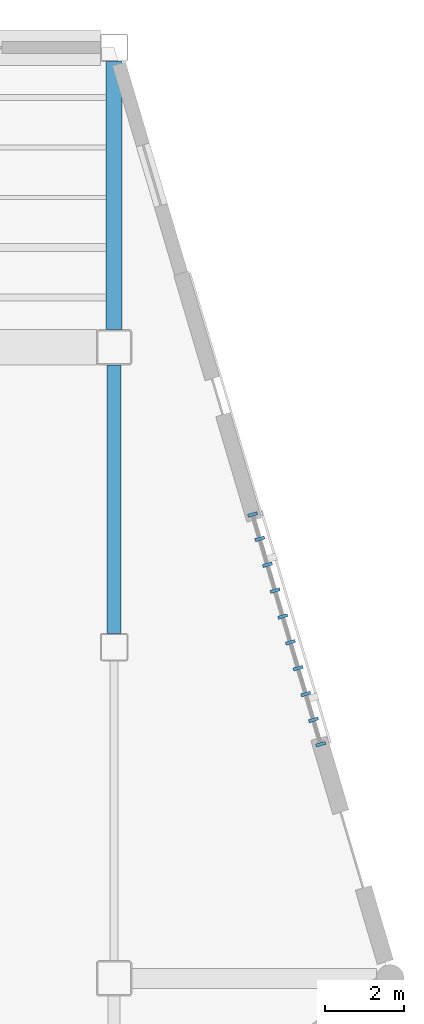
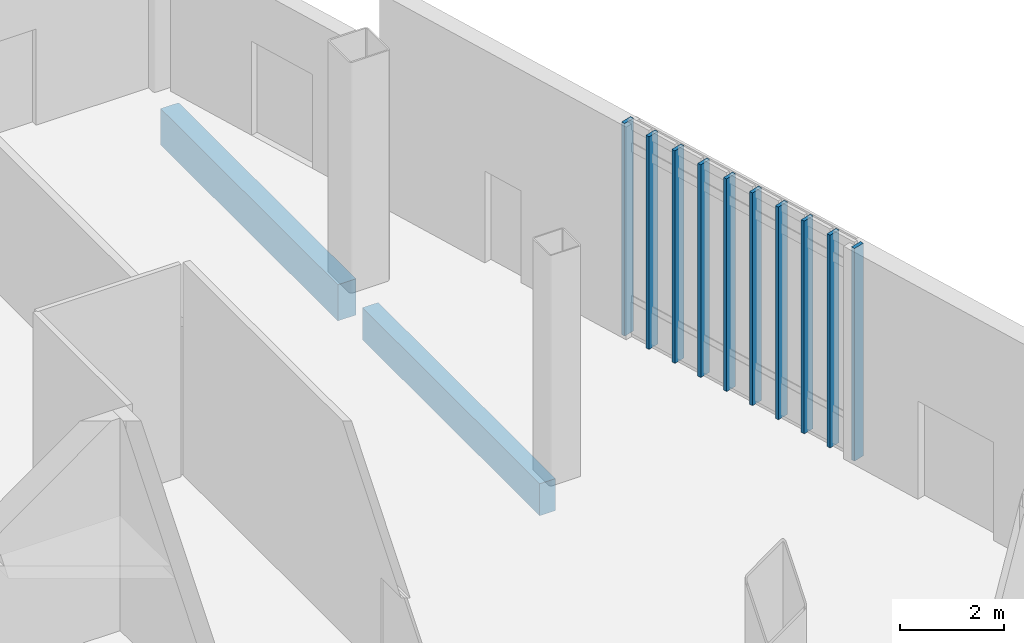
# One storey, part 34 of 111: 10 members, 2 beams, 1 element without a shape of its own.
"""IFC4 building model written with IfcOpenShell, lengths in metres."""

import ifcopenshell
import ifcopenshell.guid

model = None  # the IFC model being written
_history = None  # IfcOwnerHistory: only IFC2X3 demands one
_inside = {}  # id of a spatial element -> (the spatial element, [elements in it])
_under = {}  # id of a project, library or spatial element -> (it, [spatial elements below it])
_declared = {}  # id of a project -> (the project, [libraries it declares])
_typed = {}  # id of a type object -> (the type object, [elements of that type])
_made_of = {}  # id of a material, layer set ... -> (it, [elements and type objects made of it])


def new_model(schema):
    """Start an empty IFC model of exactly this schema.

    Asked for "IFC4X3", IfcOpenShell would pick the latest addendum, in which some entities
    have other attributes; the version numbers below select the first issue.
    IFC2X3 requires an IfcOwnerHistory on every rooted entity: one is made here for all.
    """
    global model, _history
    if schema == "IFC4X3":
        model = ifcopenshell.file(schema_version=(4, 3, 0, 0))
    else:
        model = ifcopenshell.file(schema=schema)
    _inside.clear()
    _under.clear()
    _declared.clear()
    _typed.clear()
    _made_of.clear()
    _history = None
    if model.schema == "IFC2X3":
        org = make("IfcOrganization", Name="unknown")
        user = make(
            "IfcPersonAndOrganization",
            ThePerson=make("IfcPerson", FamilyName="unknown"),
            TheOrganization=org,
        )
        app = make(
            "IfcApplication",
            ApplicationDeveloper=org,
            Version="unknown",
            ApplicationFullName="unknown",
            ApplicationIdentifier="unknown",
        )
        _history = make(
            "IfcOwnerHistory",
            OwningUser=user,
            OwningApplication=app,
            ChangeAction="ADDED",
            CreationDate=0,
        )
    return model


def make(cls, **values):
    """One entity of the class cls with the attributes given. An attribute that is None is left unset."""
    return model.create_entity(
        cls, **{name: value for name, value in values.items() if value is not None}
    )


def rooted(cls, **values):
    """An entity with a GlobalId (a new one), such as an element, a storey or a relation."""
    return make(cls, GlobalId=ifcopenshell.guid.new(), OwnerHistory=_history, **values)


def si_unit(unit_type, name, prefix=None):
    """IfcSIUnit, for example si_unit("LENGTHUNIT", "METRE", prefix="MILLI")."""
    return make("IfcSIUnit", UnitType=unit_type, Prefix=prefix, Name=name)


def assignment(units):
    """IfcUnitAssignment: the units of a project."""
    return None if units is None else make("IfcUnitAssignment", Units=units)


def point(xyz):
    """IfcCartesianPoint."""
    return None if xyz is None else make("IfcCartesianPoint", Coordinates=xyz)


def direction(xyz):
    """IfcDirection."""
    return None if xyz is None else make("IfcDirection", DirectionRatios=xyz)


def frame(location, z_axis=None, x_axis=None):
    """IfcAxis2Placement3D, a coordinate frame: its origin and axes. An axis left out is left unset."""
    return make(
        "IfcAxis2Placement3D",
        Location=point(location),
        Axis=direction(z_axis),
        RefDirection=direction(x_axis),
    )


def frame_2d(location, x_axis=None):
    """IfcAxis2Placement2D, a coordinate frame in the plane: its origin and x axis."""
    return make(
        "IfcAxis2Placement2D", Location=point(location), RefDirection=direction(x_axis)
    )


def origin():
    """The frame at (0, 0, 0) with its axes left unset."""
    return frame((0.0, 0.0, 0.0))


def origin_2d():
    """The frame at (0, 0) in the plane with its x axis left unset."""
    return frame_2d((0.0, 0.0))


def place(relative_to, where):
    """IfcLocalPlacement: puts the frame where relative to a parent placement (None: the world)."""
    return make(
        "IfcLocalPlacement", PlacementRelTo=relative_to, RelativePlacement=where
    )


def context(
    kind, dimensions, precision=None, world=None, true_north=None, identifier=None
):
    """IfcGeometricRepresentationContext, for example the 3D "Model" context."""
    return make(
        "IfcGeometricRepresentationContext",
        ContextIdentifier=identifier,
        ContextType=kind,
        CoordinateSpaceDimension=dimensions,
        Precision=precision,
        WorldCoordinateSystem=world,
        TrueNorth=true_north,
    )


def subcontext(parent, identifier, kind, view, scale=None):
    """IfcGeometricRepresentationSubContext, for example "Body" below "Model"."""
    return make(
        "IfcGeometricRepresentationSubContext",
        ContextIdentifier=identifier,
        ContextType=kind,
        ParentContext=parent,
        TargetScale=scale,
        TargetView=view,
    )


def project(units=None, contexts=None):
    """IfcProject with its units and contexts."""
    return rooted(
        "IfcProject",
        Name="project",
        RepresentationContexts=contexts,
        UnitsInContext=assignment(units),
    )


def spatial(cls, under=None, at=None, **own):
    """A site, building, storey or space (cls), placed at a placement, below another one or the project."""
    s = rooted(cls, ObjectPlacement=at, **own)
    if under is not None:
        _under.setdefault(under.id(), (under, []))[1].append(s)
    return s


def profile(cls, at=None, kind="AREA", **sizes):
    """A parametric profile (cls). Its sizes go by their IFC names, for example OverallWidth=200.0."""
    return make(cls, ProfileType=kind, Position=at, **sizes)


def rectangle(**sizes):
    """IfcRectangleProfileDef."""
    return profile("IfcRectangleProfileDef", **sizes)


def extrude(swept, where, along, depth):
    """IfcExtrudedAreaSolid: the profile swept, set in the frame where, extruded along a direction by depth."""
    return make(
        "IfcExtrudedAreaSolid",
        SweptArea=swept,
        Position=where,
        ExtrudedDirection=direction(along),
        Depth=depth,
    )


def shape(context_of_items, identifier, shape_type, items):
    """IfcShapeRepresentation: the items that make up one representation, for example the "Body"."""
    return make(
        "IfcShapeRepresentation",
        ContextOfItems=context_of_items,
        RepresentationIdentifier=identifier,
        RepresentationType=shape_type,
        Items=items,
    )


def material(Name=None, Category=None):
    """IfcMaterial."""
    return make("IfcMaterial", Name=Name, Category=Category)


def material_profile(
    of_material, cross_section, Name=None, Category=None, Priority=None
):
    """IfcMaterialProfile: a cross section and its material."""
    return make(
        "IfcMaterialProfile",
        Name=Name,
        Material=of_material,
        Profile=cross_section,
        Priority=Priority,
        Category=Category,
    )


def profile_set(profiles, Name=None, composite=None):
    """IfcMaterialProfileSet."""
    return make(
        "IfcMaterialProfileSet",
        Name=Name,
        MaterialProfiles=profiles,
        CompositeProfile=composite,
    )


def made_of(thing, what):
    """Note that an element or type object is made of a material, layer set ...; save() writes the relation."""
    if what is not None:
        _made_of.setdefault(what.id(), (what, []))[1].append(thing)
    return thing


def type_object(cls, material=None, **own):
    """A type object (cls), such as IfcWallType, which elements share."""
    return made_of(rooted(cls, **own), material)


def element(
    cls,
    number,
    at=None,
    inside=None,
    cuts=None,
    type_object=None,
    material=None,
    context=None,
    identifier="Body",
    shape_type=None,
    held_by="IfcProductDefinitionShape",
    body=None,
    shapes=None,
    **own,
):
    """One element of the class cls, such as IfcWall. Its Tag is "e" and its number.

    at: its placement. inside: the storey or other place that contains it. cuts: it is an
    opening in that element (IfcRelVoidsElement). A single representation is given by context,
    identifier, shape_type and body (its items); several are given by shapes. held_by: the class
    of the entity that holds the representations. save() writes the other relations.
    """
    e = rooted(cls, Tag="e%d" % number, ObjectPlacement=at, **own)
    if body is not None:
        shapes = [shape(context, identifier, shape_type, body)]
    if shapes is not None:
        e.Representation = make(held_by, Representations=shapes)
    if inside is not None:
        _inside.setdefault(inside.id(), (inside, []))[1].append(e)
    if cuts is not None:
        rooted(
            "IfcRelVoidsElement", RelatingBuildingElement=cuts, RelatedOpeningElement=e
        )
    if type_object is not None:
        _typed.setdefault(type_object.id(), (type_object, []))[1].append(e)
    return made_of(e, material)


def aggregate(whole, parts):
    """IfcRelAggregates: a whole, such as a stair, and the parts it consists of."""
    return rooted("IfcRelAggregates", RelatingObject=whole, RelatedObjects=parts)


def save(model, path):
    """Write the relations noted so far, then the file.

    IfcRelAggregates (storeys below a building ...), IfcRelContainedInSpatialStructure (elements
    in a storey), IfcRelDefinesByType, IfcRelAssociatesMaterial and IfcRelDeclares: one each for
    every whole, place, type object, material and project.
    """
    for whole, parts in _under.values():
        aggregate(whole, parts)
    for where, things in _inside.values():
        rooted(
            "IfcRelContainedInSpatialStructure",
            RelatedElements=things,
            RelatingStructure=where,
        )
    for kind, things in _typed.values():
        rooted("IfcRelDefinesByType", RelatedObjects=things, RelatingType=kind)
    for what, things in _made_of.values():
        rooted("IfcRelAssociatesMaterial", RelatedObjects=things, RelatingMaterial=what)
    for by, libraries in _declared.values():
        rooted("IfcRelDeclares", RelatingContext=by, RelatedDefinitions=libraries)
    model.write(path)


model = new_model("IFC4")

# Units and contexts
model_context = context("Model", 3, precision=1e-05, world=origin(), true_north=direction((0.0, 1.0)))
body_context = subcontext(model_context, "Body", "Model", "MODEL_VIEW")
ifc_project = project(units=[si_unit("LENGTHUNIT", "METRE"), si_unit("AREAUNIT", "SQUARE_METRE"), si_unit("VOLUMEUNIT", "CUBIC_METRE"), si_unit("PLANEANGLEUNIT", "RADIAN"), si_unit("MASSUNIT", "GRAM", prefix="KILO")], contexts=[model_context])

# Site, building, storey
site_placement = place(None, origin())
site = spatial("IfcSite", under=ifc_project, at=site_placement, CompositionType="ELEMENT")
building_placement = place(site_placement, origin())
building = spatial("IfcBuilding", under=site, at=building_placement, Name="Larkvane Passage Sports Hall", CompositionType="ELEMENT")
storey_placement = place(building_placement, origin())
storey = spatial("IfcBuildingStorey", under=building, at=storey_placement, Name="L00", CompositionType="ELEMENT", Elevation=0.0)

# Curtain wall, members
ifc_material_1 = material(Name="Thermally broken aluminium and low-E glazing", Category="aluminium")
curtain_wall_type = type_object("IfcCurtainWallType", Name="CW-STICK-FOYER", PredefinedType="USERDEFINED", material=ifc_material_1)
curtain_wall_placement = place(storey_placement, origin())
curtain_wall = element("IfcCurtainWall", 1, at=curtain_wall_placement, inside=storey, type_object=curtain_wall_type, Name="Curtain wall CW5-L00-022", ObjectType="STICK CURTAIN WALL", PredefinedType="USERDEFINED")
ifc_material_2 = material(Name="Anodised aluminium 6063-T6", Category="aluminium")
ifc_material_profile_1 = material_profile(ifc_material_2, rectangle(XDim=0.080078125, YDim=0.25, at=origin_2d()), Name="ALU-MUL-80x250")
ifc_profile_set_1 = profile_set([ifc_material_profile_1], Name="Anodised aluminium 6063-T6")
member_type = type_object("IfcMemberType", Name="CW-MUL-80x250", PredefinedType="MULLION", material=ifc_profile_set_1)
member_1_placement = place(storey_placement, frame((149.111328125, 87.361572265625, 0.0), z_axis=(0.0, 0.0, 1.0), x_axis=(0.284364947432, -0.958716108487, 0.0)))
member_1 = element("IfcMember", 2, at=member_1_placement, type_object=member_type, Name="CW-03 mullion 1", PredefinedType="MULLION", context=body_context, shape_type="SweptSolid", body=[
    extrude(rectangle(XDim=0.080078125, YDim=0.25, at=origin_2d()), origin(), (0.0, 0.0, 1.0), 4.97998046875),
])
member_2_placement = place(storey_placement, frame((149.29443359375, 86.744384765625, 0.0), z_axis=(0.0, 0.0, 1.0), x_axis=(0.284364947432, -0.958716108487, 0.0)))
member_2 = element("IfcMember", 3, at=member_2_placement, type_object=member_type, Name="CW-03 mullion 2", PredefinedType="MULLION", context=body_context, shape_type="SweptSolid", body=[
    extrude(rectangle(XDim=0.080078125, YDim=0.25, at=origin_2d()), origin(), (0.0, 0.0, 1.0), 4.97998046875),
])
member_3_placement = place(storey_placement, frame((149.48876953125, 86.0888671875, 0.0), z_axis=(0.0, 0.0, 1.0), x_axis=(0.284364947432, -0.958716108487, 0.0)))
member_3 = element("IfcMember", 4, at=member_3_placement, type_object=member_type, Name="CW-03 mullion 3", PredefinedType="MULLION", context=body_context, shape_type="SweptSolid", body=[
    extrude(rectangle(XDim=0.080078125, YDim=0.25, at=origin_2d()), origin(), (0.0, 0.0, 1.0), 4.97998046875),
])
member_4_placement = place(storey_placement, frame((149.683349609375, 85.433349609375, 0.0), z_axis=(0.0, 0.0, 1.0), x_axis=(0.284364947432, -0.958716108487, 0.0)))
member_4 = element("IfcMember", 5, at=member_4_placement, type_object=member_type, Name="CW-03 mullion 4", PredefinedType="MULLION", context=body_context, shape_type="SweptSolid", body=[
    extrude(rectangle(XDim=0.080078125, YDim=0.25, at=origin_2d()), origin(), (0.0, 0.0, 1.0), 4.97998046875),
])
member_5_placement = place(storey_placement, frame((149.877685546875, 84.77783203125, 0.0), z_axis=(0.0, 0.0, 1.0), x_axis=(0.284364947432, -0.958716108487, 0.0)))
member_5 = element("IfcMember", 6, at=member_5_placement, type_object=member_type, Name="CW-03 mullion 5", PredefinedType="MULLION", context=body_context, shape_type="SweptSolid", body=[
    extrude(rectangle(XDim=0.080078125, YDim=0.25, at=origin_2d()), origin(), (0.0, 0.0, 1.0), 4.97998046875),
])
member_6_placement = place(storey_placement, frame((150.072265625, 84.122314453125, 0.0), z_axis=(0.0, 0.0, 1.0), x_axis=(0.284364947432, -0.958716108487, 0.0)))
member_6 = element("IfcMember", 7, at=member_6_placement, type_object=member_type, Name="CW-03 mullion 6", PredefinedType="MULLION", context=body_context, shape_type="SweptSolid", body=[
    extrude(rectangle(XDim=0.080078125, YDim=0.25, at=origin_2d()), origin(), (0.0, 0.0, 1.0), 4.97998046875),
])
member_7_placement = place(storey_placement, frame((150.2666015625, 83.466552734375, 0.0), z_axis=(0.0, 0.0, 1.0), x_axis=(0.284364947432, -0.958716108487, 0.0)))
member_7 = element("IfcMember", 8, at=member_7_placement, type_object=member_type, Name="CW-03 mullion 7", PredefinedType="MULLION", context=body_context, shape_type="SweptSolid", body=[
    extrude(rectangle(XDim=0.080078125, YDim=0.25, at=origin_2d()), origin(), (0.0, 0.0, 1.0), 4.97998046875),
])
member_8_placement = place(storey_placement, frame((150.461181640625, 82.81103515625, 0.0), z_axis=(0.0, 0.0, 1.0), x_axis=(0.284364947432, -0.958716108487, 0.0)))
member_8 = element("IfcMember", 9, at=member_8_placement, type_object=member_type, Name="CW-03 mullion 8", PredefinedType="MULLION", context=body_context, shape_type="SweptSolid", body=[
    extrude(rectangle(XDim=0.080078125, YDim=0.25, at=origin_2d()), origin(), (0.0, 0.0, 1.0), 4.97998046875),
])
member_9_placement = place(storey_placement, frame((150.655517578125, 82.155517578125, 0.0), z_axis=(0.0, 0.0, 1.0), x_axis=(0.284364947432, -0.958716108487, 0.0)))
member_9 = element("IfcMember", 10, at=member_9_placement, type_object=member_type, Name="CW-03 mullion 9", PredefinedType="MULLION", context=body_context, shape_type="SweptSolid", body=[
    extrude(rectangle(XDim=0.080078125, YDim=0.25, at=origin_2d()), origin(), (0.0, 0.0, 1.0), 4.97998046875),
])
member_10_placement = place(storey_placement, frame((150.838623046875, 81.538330078125, 0.0), z_axis=(0.0, 0.0, 1.0), x_axis=(0.284364947432, -0.958716108487, 0.0)))
member_10 = element("IfcMember", 11, at=member_10_placement, type_object=member_type, Name="CW-03 mullion 10", PredefinedType="MULLION", context=body_context, shape_type="SweptSolid", body=[
    extrude(rectangle(XDim=0.080078125, YDim=0.25, at=origin_2d()), origin(), (0.0, 0.0, 1.0), 4.97998046875),
])
aggregate(curtain_wall, [member_1, member_2, member_3, member_4, member_5, member_6, member_7, member_8, member_9, member_10])

# Beams
ifc_material_3 = material(Name="Concrete C40/50", Category="concrete")
ifc_material_profile_2 = material_profile(ifc_material_3, rectangle(XDim=0.35009765625, YDim=0.75, at=origin_2d()), Name="RC-SP-350x750")
ifc_profile_set_2 = profile_set([ifc_material_profile_2], Name="Concrete C40/50")
beam_type_1 = type_object("IfcBeamType", Name="SP-RC-350x750", PredefinedType="SPANDREL", material=ifc_profile_set_2)
beam_1_placement = place(storey_placement, frame((145.60009765625, 84.35009765625, -0.794921875), z_axis=(0.0, 1.0, 0.0), x_axis=(-1.0, 0.0, 0.0)))
element("IfcBeam", 12, at=beam_1_placement, inside=storey, type_object=beam_type_1, Name="Girder BM5-Y-L00-19-0141", PredefinedType="SPANDREL", context=body_context, shape_type="SweptSolid", body=[
    extrude(rectangle(XDim=0.35009765625, YDim=0.75, at=origin_2d()), origin(), (0.0, 0.0, 1.0), 6.7998046875),
])
ifc_material_profile_3 = material_profile(ifc_material_3, rectangle(XDim=0.39990234375, YDim=0.85009765625, at=origin_2d()), Name="RC-SP-400x850")
ifc_profile_set_3 = profile_set([ifc_material_profile_3], Name="Concrete C40/50")
beam_type_2 = type_object("IfcBeamType", Name="SP-RC-400x850", PredefinedType="SPANDREL", material=ifc_profile_set_3)
beam_2_placement = place(storey_placement, frame((145.60009765625, 92.050048828125, -0.844970703125), z_axis=(0.0, 1.0, 0.0), x_axis=(-1.0, 0.0, 0.0)))
element("IfcBeam", 13, at=beam_2_placement, inside=storey, type_object=beam_type_2, Name="Girder BM5-Y-L00-19-0142", PredefinedType="SPANDREL", context=body_context, shape_type="SweptSolid", body=[
    extrude(rectangle(XDim=0.39990234375, YDim=0.85009765625, at=origin_2d()), origin(), (0.0, 0.0, 1.0), 6.800048828125),
])

save(model, "model.ifc")
